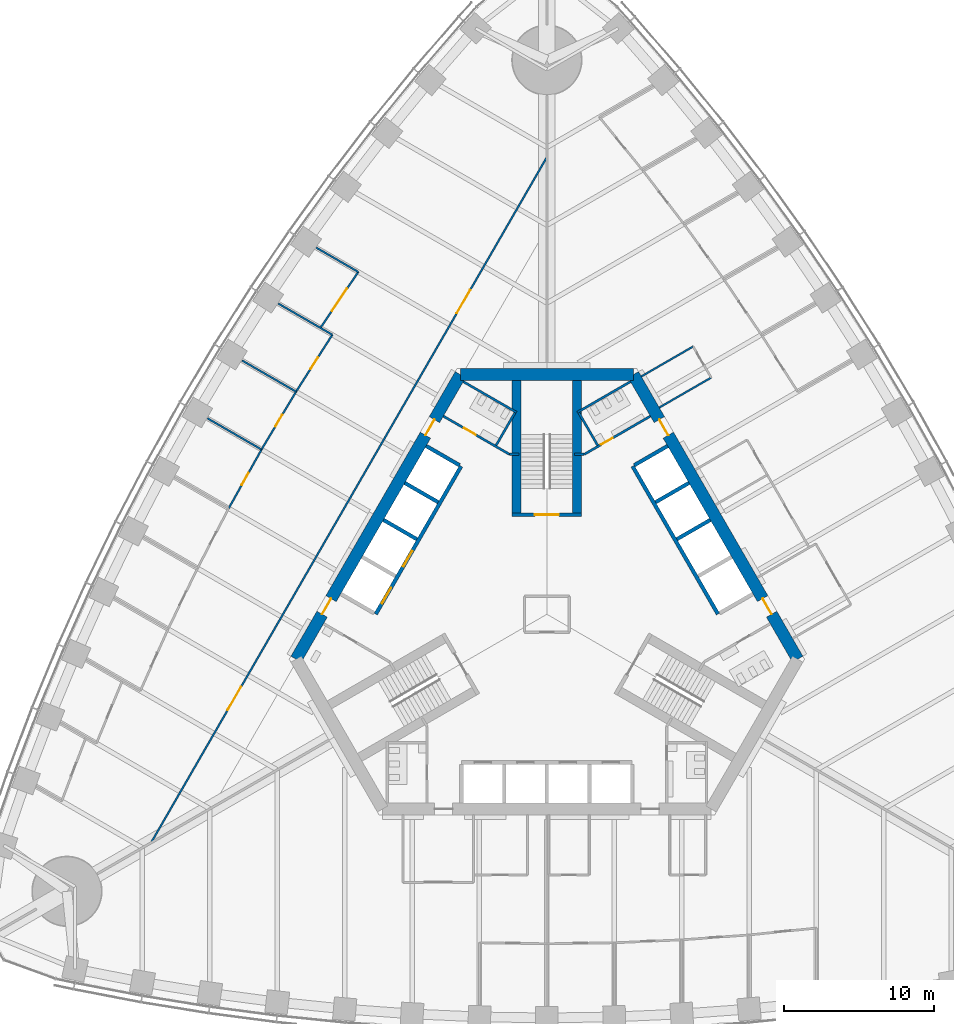
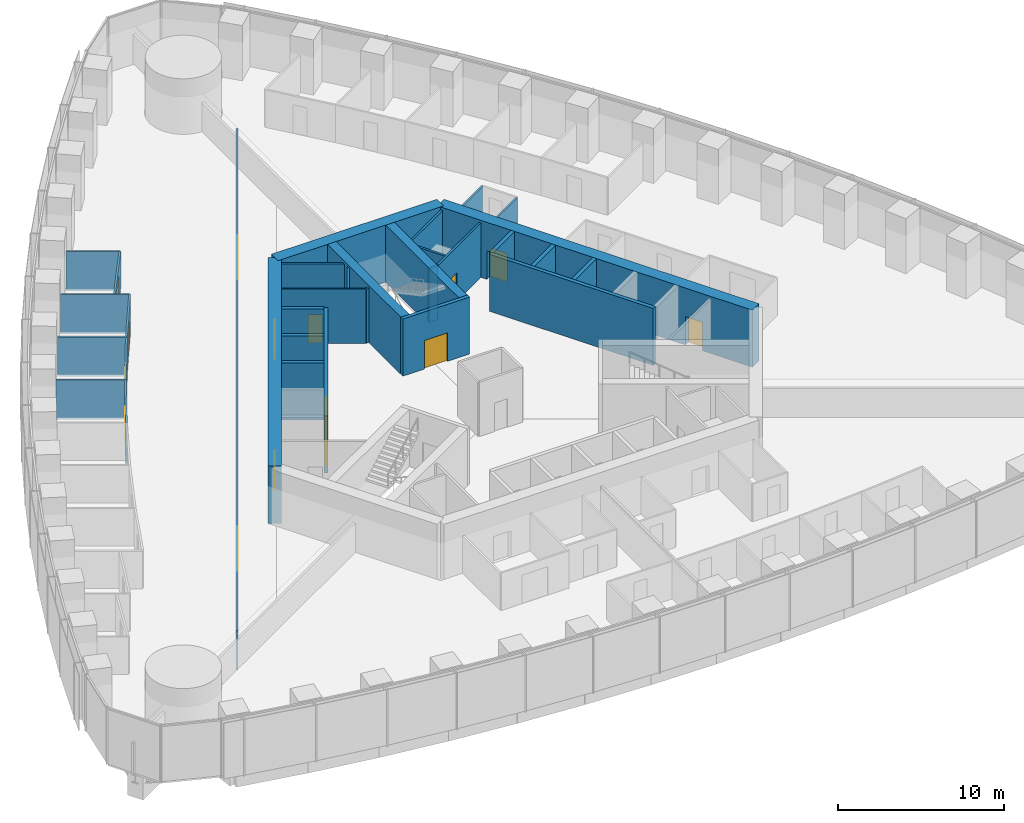
# One storey, part 12 of 18: 33 walls, 15 doors, 15 openings.
"""IFC4 building model written with IfcOpenShell, lengths in metres."""

from ifc_helpers import new_model, si_unit, direction, frame, frame_2d, origin, place, context, subcontext, project, spatial, rectangle, extrude, material, layer, layer_set, type_object, element, fill, save


model = new_model("IFC4")

# Units and contexts
model_context = context("Model", 3, precision=1e-05, world=origin(), true_north=direction((0.0, 1.0)))
body_context = subcontext(model_context, "Body", "Model", "MODEL_VIEW")
ifc_project = project(units=[si_unit("LENGTHUNIT", "METRE"), si_unit("AREAUNIT", "SQUARE_METRE"), si_unit("VOLUMEUNIT", "CUBIC_METRE"), si_unit("PLANEANGLEUNIT", "RADIAN"), si_unit("MASSUNIT", "GRAM", prefix="KILO")], contexts=[model_context])

# Site, building, storey
site_placement = place(None, origin())
site = spatial("IfcSite", under=ifc_project, at=site_placement, CompositionType="ELEMENT")
building_placement = place(site_placement, origin())
building = spatial("IfcBuilding", under=site, at=building_placement, Name="Trefoil Bronze Tower", CompositionType="ELEMENT")
storey_placement = place(building_placement, frame((0.0, 0.0, 24.89990234375)))
storey = spatial("IfcBuildingStorey", under=building, at=storey_placement, Name="L05", CompositionType="ELEMENT", Elevation=24.89990234375)

# Wall, openings, doors
ifc_material_1 = material(Name="Concrete B80", Category="concrete")
ifc_layer_1 = layer(ifc_material_1, 0.800048828125)
ifc_layer_set_1 = layer_set([ifc_layer_1], Name="Core wall 800")
wall_type_1 = type_object("IfcWallType", Name="Core wall 800", PredefinedType="SHEAR", material=ifc_layer_set_1)
wall_1_placement = place(storey_placement, frame((16.7431640625, -3.0, 0.0), z_axis=(0.0, 0.0, 1.0), x_axis=(-0.500002442456, 0.866023993627, 0.0)))
wall_1 = element("IfcWall", 1, at=wall_1_placement, inside=storey, type_object=wall_type_1, Name="Core long wall 2 L05", PredefinedType="SHEAR", context=body_context, shape_type="SweptSolid", body=[
    extrude(rectangle(XDim=21.939453125, YDim=0.800048828125, at=frame_2d((10.9697265625, 0.0))), origin(), (0.0, 0.0, 1.0), 4.2001953125),
])
opening_1_placement = place(wall_1_placement, frame((17.269775390625, 0.0, 0.0)))
opening_1 = element("IfcOpeningElement", 2, at=opening_1_placement, cuts=wall_1, Name="Opening D2", PredefinedType="OPENING", context=body_context, shape_type="SweptSolid", body=[
    extrude(rectangle(XDim=1.199951171875, YDim=2.10009765625, at=frame_2d((0.60009765625, 1.050048828125))), frame((0.0, 0.409912109375, 0.0), z_axis=(0.0, -1.0, 0.0), x_axis=(1.0, 0.0, 0.0)), (0.0, 0.0, 1.0), 0.820068359375),
])
opening_2_placement = place(wall_1_placement, frame((3.4697265625, 0.0, 0.0)))
opening_2 = element("IfcOpeningElement", 3, at=opening_2_placement, cuts=wall_1, Name="Opening D2", PredefinedType="OPENING", context=body_context, shape_type="SweptSolid", body=[
    extrude(rectangle(XDim=1.199951171875, YDim=2.10009765625, at=frame_2d((0.60009765625, 1.050048828125))), frame((0.0, 0.409912109375, 0.0), z_axis=(0.0, -1.0, 0.0), x_axis=(1.0, 0.0, 0.0)), (0.0, 0.0, 1.0), 0.820068359375),
])
ifc_material_2 = material(Name="Steel door", Category="steel")
door_type_1 = type_object("IfcDoorType", Name="Lobby door 1200", OperationType="SINGLE_SWING_RIGHT", PredefinedType="DOOR", material=ifc_material_2)
door_1_placement = place(opening_1_placement, origin())
door_1 = element("IfcDoor", 4, at=door_1_placement, inside=storey, type_object=door_type_1, Name="Lobby door F2+ L05", OperationType="SINGLE_SWING_RIGHT", OverallHeight=2.10009765625, OverallWidth=1.199951171875, PredefinedType="DOOR", context=body_context, shape_type="SweptSolid", body=[
    extrude(rectangle(XDim=1.199951171875, YDim=2.10009765625, at=frame_2d((0.60009765625, 1.050048828125))), frame((0.0, 0.02490234375, 0.0), z_axis=(0.0, -1.0, 0.0), x_axis=(1.0, 0.0, 0.0)), (0.0, 0.0, 1.0), 0.050048828125),
])
fill(opening_1, door_1)
door_2_placement = place(opening_2_placement, origin())
door_2 = element("IfcDoor", 5, at=door_2_placement, inside=storey, type_object=door_type_1, Name="Lobby door F2- L05", OperationType="SINGLE_SWING_LEFT", OverallHeight=2.10009765625, OverallWidth=1.199951171875, PredefinedType="DOOR", context=body_context, shape_type="SweptSolid", body=[
    extrude(rectangle(XDim=1.199951171875, YDim=2.10009765625, at=frame_2d((0.60009765625, 1.050048828125))), frame((0.0, 0.02490234375, 0.0), z_axis=(0.0, -1.0, 0.0), x_axis=(1.0, 0.0, 0.0)), (0.0, 0.0, 1.0), 0.050048828125),
])
fill(opening_2, door_2)

# Wall
wall_2_placement = place(storey_placement, frame((5.7734375, 16.0, 0.0), z_axis=(0.0, 0.0, 1.0), x_axis=(-1.0, 0.0, 0.0)))
element("IfcWall", 6, at=wall_2_placement, inside=storey, type_object=wall_type_1, Name="Core short wall 2 L05", PredefinedType="SHEAR", context=body_context, shape_type="SweptSolid", body=[
    extrude(rectangle(XDim=11.546875, YDim=0.800048828125, at=frame_2d((5.7734375, 0.0))), origin(), (0.0, 0.0, 1.0), 4.2001953125),
])

# Wall, openings, doors
wall_3_placement = place(storey_placement, frame((-5.7734375, 16.0, 0.0), z_axis=(0.0, 0.0, 1.0), x_axis=(-0.500002442456, -0.866023993627, 0.0)))
wall_3 = element("IfcWall", 7, at=wall_3_placement, inside=storey, type_object=wall_type_1, Name="Core long wall 3 L05", PredefinedType="SHEAR", context=body_context, shape_type="SweptSolid", body=[
    extrude(rectangle(XDim=21.939453125, YDim=0.800048828125, at=frame_2d((10.9697265625, 0.0))), origin(), (0.0, 0.0, 1.0), 4.2001953125),
])
opening_3_placement = place(wall_3_placement, frame((17.269775390625, 0.0, 0.0)))
opening_3 = element("IfcOpeningElement", 8, at=opening_3_placement, cuts=wall_3, Name="Opening D2", PredefinedType="OPENING", context=body_context, shape_type="SweptSolid", body=[
    extrude(rectangle(XDim=1.199951171875, YDim=2.10009765625, at=frame_2d((0.60009765625, 1.050048828125))), frame((0.0, 0.409912109375, 0.0), z_axis=(0.0, -1.0, 0.0), x_axis=(1.0, 0.0, 0.0)), (0.0, 0.0, 1.0), 0.820068359375),
])
opening_4_placement = place(wall_3_placement, frame((3.4697265625, 0.0, 0.0)))
opening_4 = element("IfcOpeningElement", 9, at=opening_4_placement, cuts=wall_3, Name="Opening D2", PredefinedType="OPENING", context=body_context, shape_type="SweptSolid", body=[
    extrude(rectangle(XDim=1.199951171875, YDim=2.10009765625, at=frame_2d((0.60009765625, 1.050048828125))), frame((0.0, 0.409912109375, 0.0), z_axis=(0.0, -1.0, 0.0), x_axis=(1.0, 0.0, 0.0)), (0.0, 0.0, 1.0), 0.820068359375),
])
door_3_placement = place(opening_3_placement, origin())
door_3 = element("IfcDoor", 10, at=door_3_placement, inside=storey, type_object=door_type_1, Name="Lobby door F3+ L05", OperationType="SINGLE_SWING_RIGHT", OverallHeight=2.10009765625, OverallWidth=1.199951171875, PredefinedType="DOOR", context=body_context, shape_type="SweptSolid", body=[
    extrude(rectangle(XDim=1.199951171875, YDim=2.10009765625, at=frame_2d((0.60009765625, 1.050048828125))), frame((0.0, 0.02490234375, 0.0), z_axis=(0.0, -1.0, 0.0), x_axis=(1.0, 0.0, 0.0)), (0.0, 0.0, 1.0), 0.050048828125),
])
fill(opening_3, door_3)
door_4_placement = place(opening_4_placement, origin())
door_4 = element("IfcDoor", 11, at=door_4_placement, inside=storey, type_object=door_type_1, Name="Lobby door F3- L05", OperationType="SINGLE_SWING_LEFT", OverallHeight=2.10009765625, OverallWidth=1.199951171875, PredefinedType="DOOR", context=body_context, shape_type="SweptSolid", body=[
    extrude(rectangle(XDim=1.199951171875, YDim=2.10009765625, at=frame_2d((0.60009765625, 1.050048828125))), frame((0.0, 0.02490234375, 0.0), z_axis=(0.0, -1.0, 0.0), x_axis=(1.0, 0.0, 0.0)), (0.0, 0.0, 1.0), 0.050048828125),
])
fill(opening_4, door_4)

# Walls
ifc_material_3 = material(Name="Glazed partition", Category="glass")
ifc_layer_2 = layer(ifc_material_3, 0.1201171875)
ifc_layer_set_2 = layer_set([ifc_layer_2], Name="Glazed partition 120")
wall_type_2 = type_object("IfcWallType", Name="Glazed partition 120", PredefinedType="PARTITIONING", material=ifc_layer_set_2)
for number, where, z_axis, x_axis, name in (
    (12, (6.3046875, 15.8798828125, 0.0), (0.0, 0.0, 1.0), (0.866026010844, 0.49999894854, 0.0), "Partition F2 L05"),
    (13, (7.504638671875, 13.801513671875, 0.0), (0.0, 0.0, 1.0), (0.866026010844, 0.49999894854, 0.0), "Partition F2 L05"),
):
    element("IfcWall", number, at=place(storey_placement, frame(where, z_axis=z_axis, x_axis=x_axis)), inside=storey, type_object=wall_type_2, Name=name, PredefinedType="PARTITIONING", context=body_context, shape_type="SweptSolid", body=[
        extrude(rectangle(XDim=4.0, YDim=0.1201171875, at=frame_2d((2.0, 0.0))), origin(), (0.0, 0.0, 1.0), 2.900146484375),
    ])

# Wall, openings, doors
wall_4_placement = place(storey_placement, frame((-0.016357421875, 30.491455078125, 0.0), z_axis=(0.0, 0.0, 1.0), x_axis=(-0.50000091641, -0.866024874695, 0.0)))
wall_4 = element("IfcWall", 14, at=wall_4_placement, inside=storey, type_object=wall_type_2, Name="Partition F3 L05", PredefinedType="PARTITIONING", context=body_context, shape_type="SweptSolid", body=[
    extrude(rectangle(XDim=52.79638671875, YDim=0.1201171875, at=frame_2d((26.398193359375, 0.0))), origin(), (0.0, 0.0, 1.0), 2.900146484375),
])
opening_5_placement = place(wall_4_placement, frame((10.199951171875, 0.0, 0.14990234375)))
opening_5 = element("IfcOpeningElement", 15, at=opening_5_placement, cuts=wall_4, Name="Opening D10", PredefinedType="OPENING", context=body_context, shape_type="SweptSolid", body=[
    extrude(rectangle(XDim=1.800048828125, YDim=2.10009765625, at=frame_2d((0.89990234375, 1.050048828125))), frame((0.0, 0.070068359375, 0.0), z_axis=(0.0, -1.0, 0.0), x_axis=(1.0, 0.0, 0.0)), (0.0, 0.0, 1.0), 0.14013671875),
])
opening_6_placement = place(wall_4_placement, frame((40.800048828125, 0.0, 0.14990234375)))
opening_6 = element("IfcOpeningElement", 16, at=opening_6_placement, cuts=wall_4, Name="Opening D10", PredefinedType="OPENING", context=body_context, shape_type="SweptSolid", body=[
    extrude(rectangle(XDim=1.800048828125, YDim=2.10009765625, at=frame_2d((0.89990234375, 1.050048828125))), frame((0.0, 0.070068359375, 0.0), z_axis=(0.0, -1.0, 0.0), x_axis=(1.0, 0.0, 0.0)), (0.0, 0.0, 1.0), 0.14013671875),
])
ifc_material_4 = material(Name="Timber door", Category="wood")
door_type_2 = type_object("IfcDoorType", Name="Double door 1800", OperationType="DOUBLE_DOOR_SINGLE_SWING", PredefinedType="DOOR", material=ifc_material_4)
door_5_placement = place(opening_5_placement, origin())
door_5 = element("IfcDoor", 17, at=door_5_placement, inside=storey, type_object=door_type_2, Name="Corridor door F3 L05", OperationType="DOUBLE_DOOR_SINGLE_SWING", OverallHeight=2.10009765625, OverallWidth=1.800048828125, PredefinedType="DOOR", context=body_context, shape_type="SweptSolid", body=[
    extrude(rectangle(XDim=1.800048828125, YDim=2.10009765625, at=frame_2d((0.89990234375, 1.050048828125))), frame((0.0, 0.02490234375, 0.0), z_axis=(0.0, -1.0, 0.0), x_axis=(1.0, 0.0, 0.0)), (0.0, 0.0, 1.0), 0.050048828125),
])
fill(opening_5, door_5)
door_6_placement = place(opening_6_placement, origin())
door_6 = element("IfcDoor", 18, at=door_6_placement, inside=storey, type_object=door_type_2, Name="Corridor door F3 L05", OperationType="DOUBLE_DOOR_SINGLE_SWING", OverallHeight=2.10009765625, OverallWidth=1.800048828125, PredefinedType="DOOR", context=body_context, shape_type="SweptSolid", body=[
    extrude(rectangle(XDim=1.800048828125, YDim=2.10009765625, at=frame_2d((0.89990234375, 1.050048828125))), frame((0.0, 0.02490234375, 0.0), z_axis=(0.0, -1.0, 0.0), x_axis=(1.0, 0.0, 0.0)), (0.0, 0.0, 1.0), 0.050048828125),
])
fill(opening_6, door_6)

# Wall, opening, door
wall_5_placement = place(storey_placement, frame((-19.051513671875, 10.999267578125, 0.0), z_axis=(0.0, 0.0, 1.0), x_axis=(-0.487373854787, -0.873193406795, 0.0)))
wall_5 = element("IfcWall", 19, at=wall_5_placement, inside=storey, type_object=wall_type_2, Name="Partition F3 L05", PredefinedType="PARTITIONING", context=body_context, shape_type="SweptSolid", body=[
    extrude(rectangle(XDim=4.500244140625, YDim=0.1201171875, at=frame_2d((2.25, 0.0))), origin(), (0.0, 0.0, 1.0), 2.900146484375),
])
opening_7_placement = place(wall_5_placement, frame((1.800048828125, 0.0, 0.14990234375)))
opening_7 = element("IfcOpeningElement", 20, at=opening_7_placement, cuts=wall_5, Name="Opening D8", PredefinedType="OPENING", context=body_context, shape_type="SweptSolid", body=[
    extrude(rectangle(XDim=0.89990234375, YDim=2.10009765625, at=frame_2d((0.449951171875, 1.050048828125))), frame((0.0, 0.070068359375, 0.0), z_axis=(0.0, -1.0, 0.0), x_axis=(1.0, 0.0, 0.0)), (0.0, 0.0, 1.0), 0.14013671875),
])
ifc_material_5 = material(Name="Timber door", Category="wood")
door_type_3 = type_object("IfcDoorType", Name="Office door 900", OperationType="SINGLE_SWING_LEFT", PredefinedType="DOOR", material=ifc_material_5)
door_7_placement = place(opening_7_placement, frame((0.89990234375, 0.0, 0.0), z_axis=(0.0, 0.0, 1.0), x_axis=(-1.0, 0.0, 0.0)))
door_7 = element("IfcDoor", 21, at=door_7_placement, inside=storey, type_object=door_type_3, Name="Office door F3 L05", OperationType="SINGLE_SWING_RIGHT", OverallHeight=2.10009765625, OverallWidth=0.89990234375, PredefinedType="DOOR", context=body_context, shape_type="SweptSolid", body=[
    extrude(rectangle(XDim=0.89990234375, YDim=2.10009765625, at=frame_2d((0.449951171875, 1.050048828125))), frame((0.0, 0.02490234375, 0.0), z_axis=(0.0, -1.0, 0.0), x_axis=(1.0, 0.0, 0.0)), (0.0, 0.0, 1.0), 0.050048828125),
])
fill(opening_7, door_7)

wall_6_placement = place(storey_placement, frame((-12.58837890625, 22.8564453125, 0.0), z_axis=(0.0, 0.0, 1.0), x_axis=(-0.561486863223, -0.827485650889, 0.0)))
wall_6 = element("IfcWall", 22, at=wall_6_placement, inside=storey, type_object=wall_type_2, Name="Partition F3 L05", PredefinedType="PARTITIONING", context=body_context, shape_type="SweptSolid", body=[
    extrude(rectangle(XDim=4.511962890625, YDim=0.1201171875, at=frame_2d((2.255859375, 0.0))), origin(), (0.0, 0.0, 1.0), 2.900146484375),
])
opening_8_placement = place(wall_6_placement, frame((1.35009765625, 0.0, 0.14990234375)))
opening_8 = element("IfcOpeningElement", 23, at=opening_8_placement, cuts=wall_6, Name="Opening D10", PredefinedType="OPENING", context=body_context, shape_type="SweptSolid", body=[
    extrude(rectangle(XDim=1.800048828125, YDim=2.10009765625, at=frame_2d((0.89990234375, 1.050048828125))), frame((0.0, 0.070068359375, 0.0), z_axis=(0.0, -1.0, 0.0), x_axis=(1.0, 0.0, 0.0)), (0.0, 0.0, 1.0), 0.14013671875),
])
door_8_placement = place(opening_8_placement, origin())
door_8 = element("IfcDoor", 24, at=door_8_placement, inside=storey, type_object=door_type_2, Name="Reception door F3 L05", OperationType="DOUBLE_DOOR_SINGLE_SWING", OverallHeight=2.10009765625, OverallWidth=1.800048828125, PredefinedType="DOOR", context=body_context, shape_type="SweptSolid", body=[
    extrude(rectangle(XDim=1.800048828125, YDim=2.10009765625, at=frame_2d((0.89990234375, 1.050048828125))), frame((0.0, 0.02490234375, 0.0), z_axis=(0.0, -1.0, 0.0), x_axis=(1.0, 0.0, 0.0)), (0.0, 0.0, 1.0), 0.050048828125),
])
fill(opening_8, door_8)

wall_7_placement = place(storey_placement, frame((-16.744873046875, 14.86376953125, 0.0), z_axis=(0.0, 0.0, 1.0), x_axis=(-0.51252396108, -0.858672923364, 0.0)))
wall_7 = element("IfcWall", 25, at=wall_7_placement, inside=storey, type_object=wall_type_2, Name="Partition F3 L05", PredefinedType="PARTITIONING", context=body_context, shape_type="SweptSolid", body=[
    extrude(rectangle(XDim=4.50048828125, YDim=0.1201171875, at=frame_2d((2.250244140625, 0.0))), origin(), (0.0, 0.0, 1.0), 2.900146484375),
])
opening_9_placement = place(wall_7_placement, frame((1.800048828125, 0.0, 0.14990234375)))
opening_9 = element("IfcOpeningElement", 26, at=opening_9_placement, cuts=wall_7, Name="Opening D8", PredefinedType="OPENING", context=body_context, shape_type="SweptSolid", body=[
    extrude(rectangle(XDim=0.89990234375, YDim=2.10009765625, at=frame_2d((0.449951171875, 1.050048828125))), frame((0.0, 0.070068359375, 0.0), z_axis=(0.0, -1.0, 0.0), x_axis=(1.0, 0.0, 0.0)), (0.0, 0.0, 1.0), 0.14013671875),
])
door_9_placement = place(opening_9_placement, frame((0.89990234375, 0.0, 0.0), z_axis=(0.0, 0.0, 1.0), x_axis=(-1.0, 0.0, 0.0)))
door_9 = element("IfcDoor", 27, at=door_9_placement, inside=storey, type_object=door_type_3, Name="Office door F3 L05", OperationType="SINGLE_SWING_RIGHT", OverallHeight=2.10009765625, OverallWidth=0.89990234375, PredefinedType="DOOR", context=body_context, shape_type="SweptSolid", body=[
    extrude(rectangle(XDim=0.89990234375, YDim=2.10009765625, at=frame_2d((0.449951171875, 1.050048828125))), frame((0.0, 0.02490234375, 0.0), z_axis=(0.0, -1.0, 0.0), x_axis=(1.0, 0.0, 0.0)), (0.0, 0.0, 1.0), 0.050048828125),
])
fill(opening_9, door_9)

wall_8_placement = place(storey_placement, frame((-14.3251953125, 18.662841796875, 0.0), z_axis=(0.0, 0.0, 1.0), x_axis=(-0.537205132487, -0.843451626135, 0.0)))
wall_8 = element("IfcWall", 28, at=wall_8_placement, inside=storey, type_object=wall_type_2, Name="Partition F3 L05", PredefinedType="PARTITIONING", context=body_context, shape_type="SweptSolid", body=[
    extrude(rectangle(XDim=4.504150390625, YDim=0.1201171875, at=frame_2d((2.251953125, 0.0))), origin(), (0.0, 0.0, 1.0), 2.900146484375),
])
opening_10_placement = place(wall_8_placement, frame((1.800048828125, 0.0, 0.14990234375)))
opening_10 = element("IfcOpeningElement", 29, at=opening_10_placement, cuts=wall_8, Name="Opening D8", PredefinedType="OPENING", context=body_context, shape_type="SweptSolid", body=[
    extrude(rectangle(XDim=0.89990234375, YDim=2.10009765625, at=frame_2d((0.449951171875, 1.050048828125))), frame((0.0, 0.070068359375, 0.0), z_axis=(0.0, -1.0, 0.0), x_axis=(1.0, 0.0, 0.0)), (0.0, 0.0, 1.0), 0.14013671875),
])
door_10_placement = place(opening_10_placement, frame((0.89990234375, 0.0, 0.0), z_axis=(0.0, 0.0, 1.0), x_axis=(-1.0, 0.0, 0.0)))
door_10 = element("IfcDoor", 30, at=door_10_placement, inside=storey, type_object=door_type_3, Name="Office door F3 L05", OperationType="SINGLE_SWING_RIGHT", OverallHeight=2.10009765625, OverallWidth=0.89990234375, PredefinedType="DOOR", context=body_context, shape_type="SweptSolid", body=[
    extrude(rectangle(XDim=0.89990234375, YDim=2.10009765625, at=frame_2d((0.449951171875, 1.050048828125))), frame((0.0, 0.02490234375, 0.0), z_axis=(0.0, -1.0, 0.0), x_axis=(1.0, 0.0, 0.0)), (0.0, 0.0, 1.0), 0.050048828125),
])
fill(opening_10, door_10)

# Walls
wall_9_placement = place(storey_placement, frame((-19.051513671875, 10.999267578125, 0.0), z_axis=(0.0, 0.0, 1.0), x_axis=(-0.866004239599, 0.500036655653, 0.0)))
element("IfcWall", 31, at=wall_9_placement, inside=storey, type_object=wall_type_2, Name="Partition F3 L05", PredefinedType="PARTITIONING", context=body_context, shape_type="SweptSolid", body=[
    extrude(rectangle(XDim=4.170166015625, YDim=0.1201171875, at=frame_2d((2.0849609375, 0.0))), origin(), (0.0, 0.0, 1.0), 2.900146484375),
])
wall_10_placement = place(storey_placement, frame((-12.58837890625, 22.8564453125, 0.0), z_axis=(0.0, 0.0, 1.0), x_axis=(-0.866043964491, 0.499967850536, 0.0)))
element("IfcWall", 32, at=wall_10_placement, inside=storey, type_object=wall_type_2, Name="Partition F3 L05", PredefinedType="PARTITIONING", context=body_context, shape_type="SweptSolid", body=[
    extrude(rectangle(XDim=3.243896484375, YDim=0.1201171875, at=frame_2d((1.6220703125, 0.0))), origin(), (0.0, 0.0, 1.0), 2.900146484375),
])
wall_11_placement = place(storey_placement, frame((-16.744873046875, 14.86376953125, 0.0), z_axis=(0.0, 0.0, 1.0), x_axis=(-0.866025669538, 0.499999539701, 0.0)))
element("IfcWall", 33, at=wall_11_placement, inside=storey, type_object=wall_type_2, Name="Partition F3 L05", PredefinedType="PARTITIONING", context=body_context, shape_type="SweptSolid", body=[
    extrude(rectangle(XDim=4.16943359375, YDim=0.1201171875, at=frame_2d((2.084716796875, 0.0))), origin(), (0.0, 0.0, 1.0), 2.900146484375),
])
wall_12_placement = place(storey_placement, frame((-14.3251953125, 18.662841796875, 0.0), z_axis=(0.0, 0.0, 1.0), x_axis=(-0.866009971343, 0.50002672882, 0.0)))
element("IfcWall", 34, at=wall_12_placement, inside=storey, type_object=wall_type_2, Name="Partition F3 L05", PredefinedType="PARTITIONING", context=body_context, shape_type="SweptSolid", body=[
    extrude(rectangle(XDim=4.167236328125, YDim=0.1201171875, at=frame_2d((2.08349609375, 0.0))), origin(), (0.0, 0.0, 1.0), 2.900146484375),
])

# Wall, opening, door
ifc_material_6 = material(Name="Gypsum board on steel studs", Category="steel")
ifc_layer_3 = layer(ifc_material_6, 0.14990234375)
ifc_layer_set_3 = layer_set([ifc_layer_3], Name="Partition 150")
wall_type_3 = type_object("IfcWallType", Name="Partition 150", PredefinedType="PARTITIONING", material=ifc_layer_set_3)
wall_13_placement = place(storey_placement, frame((2.4951171875, 10.67822265625, 0.0), z_axis=(0.0, 0.0, 1.0), x_axis=(0.86602216432, 0.500005610874, 0.0)))
wall_13 = element("IfcWall", 35, at=wall_13_placement, inside=storey, type_object=wall_type_3, Name="Passage wall F2+ L05", PredefinedType="PARTITIONING", context=body_context, shape_type="SweptSolid", body=[
    extrude(rectangle(XDim=5.10009765625, YDim=0.14990234375, at=frame_2d((2.550048828125, 0.0))), origin(), (0.0, 0.0, 1.0), 4.0),
])
opening_11_placement = place(wall_13_placement, frame((1.300048828125, 0.0, 0.0)))
opening_11 = element("IfcOpeningElement", 36, at=opening_11_placement, cuts=wall_13, Name="Opening D3", PredefinedType="OPENING", context=body_context, shape_type="SweptSolid", body=[
    extrude(rectangle(XDim=0.89990234375, YDim=2.10009765625, at=frame_2d((0.449951171875, 1.050048828125))), frame((0.0, 0.0849609375, 0.0), z_axis=(0.0, -1.0, 0.0), x_axis=(1.0, 0.0, 0.0)), (0.0, 0.0, 1.0), 0.169921875),
])
ifc_material_7 = material(Name="Timber door", Category="wood")
door_type_4 = type_object("IfcDoorType", Name="WC door 900", OperationType="SINGLE_SWING_LEFT", PredefinedType="DOOR", material=ifc_material_7)
door_11_placement = place(opening_11_placement, origin())
door_11 = element("IfcDoor", 37, at=door_11_placement, inside=storey, type_object=door_type_4, Name="WC (men) door L05", OperationType="SINGLE_SWING_LEFT", OverallHeight=2.10009765625, OverallWidth=0.89990234375, PredefinedType="DOOR", context=body_context, shape_type="SweptSolid", body=[
    extrude(rectangle(XDim=0.89990234375, YDim=2.10009765625, at=frame_2d((0.449951171875, 1.050048828125))), frame((0.0, 0.02490234375, 0.0), z_axis=(0.0, -1.0, 0.0), x_axis=(1.0, 0.0, 0.0)), (0.0, 0.0, 1.0), 0.050048828125),
])
fill(opening_11, door_11)

wall_14_placement = place(storey_placement, frame((-2.4951171875, 10.67822265625, 0.0), z_axis=(0.0, 0.0, 1.0), x_axis=(-0.86602216432, 0.500005610874, 0.0)))
wall_14 = element("IfcWall", 38, at=wall_14_placement, inside=storey, type_object=wall_type_3, Name="Passage wall F3- L05", PredefinedType="PARTITIONING", context=body_context, shape_type="SweptSolid", body=[
    extrude(rectangle(XDim=5.10009765625, YDim=0.14990234375, at=frame_2d((2.550048828125, 0.0))), origin(), (0.0, 0.0, 1.0), 4.0),
])
opening_12_placement = place(wall_14_placement, frame((2.60009765625, 0.0, 0.0)))
opening_12 = element("IfcOpeningElement", 39, at=opening_12_placement, cuts=wall_14, Name="Opening D3", PredefinedType="OPENING", context=body_context, shape_type="SweptSolid", body=[
    extrude(rectangle(XDim=0.89990234375, YDim=2.10009765625, at=frame_2d((0.449951171875, 1.050048828125))), frame((0.0, 0.0849609375, 0.0), z_axis=(0.0, -1.0, 0.0), x_axis=(1.0, 0.0, 0.0)), (0.0, 0.0, 1.0), 0.169921875),
])
door_12_placement = place(opening_12_placement, frame((0.89990234375, 0.0, 0.0), z_axis=(0.0, 0.0, 1.0), x_axis=(-1.0, 0.0, 0.0)))
door_12 = element("IfcDoor", 40, at=door_12_placement, inside=storey, type_object=door_type_4, Name="WC (women) door L05", OperationType="SINGLE_SWING_RIGHT", OverallHeight=2.10009765625, OverallWidth=0.89990234375, PredefinedType="DOOR", context=body_context, shape_type="SweptSolid", body=[
    extrude(rectangle(XDim=0.89990234375, YDim=2.10009765625, at=frame_2d((0.449951171875, 1.050048828125))), frame((0.0, 0.02490234375, 0.0), z_axis=(0.0, -1.0, 0.0), x_axis=(1.0, 0.0, 0.0)), (0.0, 0.0, 1.0), 0.050048828125),
])
fill(opening_12, door_12)

# Walls
for number, where, z_axis, x_axis, name in (
    (41, (2.4951171875, 10.67822265625, 0.0), (0.0, 0.0, 1.0), (-1.0, 0.0, 0.0), "WC wall ST2-1 L05"),
    (42, (-2.4951171875, 10.67822265625, 0.0), (0.0, 0.0, 1.0), (1.0, 0.0, 0.0), "WC wall ST2+1 L05"),
):
    element("IfcWall", number, at=place(storey_placement, frame(where, z_axis=z_axis, x_axis=x_axis)), inside=storey, type_object=wall_type_3, Name=name, PredefinedType="PARTITIONING", context=body_context, shape_type="SweptSolid", body=[
        extrude(rectangle(XDim=0.64501953125, YDim=0.14990234375, at=frame_2d((0.322509765625, 0.0))), origin(), (0.0, 0.0, 1.0), 4.0),
    ])
wall_15_placement = place(storey_placement, frame((2.03125, 13.48193359375, 0.0), z_axis=(0.0, 0.0, 1.0), x_axis=(0.866050731258, 0.499956128963, 0.0)))
element("IfcWall", 43, at=wall_15_placement, inside=storey, type_object=wall_type_3, Name="WC partition WC (men) L05", PredefinedType="PARTITIONING", context=body_context, shape_type="SweptSolid", body=[
    extrude(rectangle(XDim=4.099853515625, YDim=0.14990234375, at=frame_2d((2.0498046875, 0.0))), origin(), (0.0, 0.0, 1.0), 4.0),
])
wall_16_placement = place(storey_placement, frame((3.388671875, 11.28076171875, 0.0), z_axis=(0.0, 0.0, 1.0), x_axis=(-0.499989096993, 0.866031698547, 0.0)))
element("IfcWall", 44, at=wall_16_placement, inside=storey, type_object=wall_type_3, Name="WC partition WC (men) L05", PredefinedType="PARTITIONING", context=body_context, shape_type="SweptSolid", body=[
    extrude(rectangle(XDim=2.509765625, YDim=0.14990234375, at=frame_2d((1.2548828125, 0.0))), origin(), (0.0, 0.0, 1.0), 4.0),
])
wall_17_placement = place(storey_placement, frame((-2.03125, 13.48193359375, 0.0), z_axis=(0.0, 0.0, 1.0), x_axis=(-0.866050731258, 0.499956128963, 0.0)))
element("IfcWall", 45, at=wall_17_placement, inside=storey, type_object=wall_type_3, Name="WC partition WC (women) L05", PredefinedType="PARTITIONING", context=body_context, shape_type="SweptSolid", body=[
    extrude(rectangle(XDim=4.099853515625, YDim=0.14990234375, at=frame_2d((2.0498046875, 0.0))), origin(), (0.0, 0.0, 1.0), 4.0),
])
wall_18_placement = place(storey_placement, frame((-3.388671875, 11.28076171875, 0.0), z_axis=(0.0, 0.0, 1.0), x_axis=(0.499989096993, 0.866031698547, 0.0)))
element("IfcWall", 46, at=wall_18_placement, inside=storey, type_object=wall_type_3, Name="WC partition WC (women) L05", PredefinedType="PARTITIONING", context=body_context, shape_type="SweptSolid", body=[
    extrude(rectangle(XDim=2.509765625, YDim=0.14990234375, at=frame_2d((1.2548828125, 0.0))), origin(), (0.0, 0.0, 1.0), 4.0),
])
ifc_material_8 = material(Name="Concrete B80", Category="concrete")
ifc_layer_4 = layer(ifc_material_8, 0.25)
ifc_layer_set_4 = layer_set([ifc_layer_4], Name="Shaft wall 250")
wall_type_4 = type_object("IfcWallType", Name="Shaft wall 250", PredefinedType="SHEAR", material=ifc_layer_set_4)
wall_19_placement = place(storey_placement, frame((11.423583984375, 0.013671875, 0.0), z_axis=(0.0, 0.0, 1.0), x_axis=(-0.500001763848, 0.866024385424, 0.0)))
element("IfcWall", 47, at=wall_19_placement, inside=storey, type_object=wall_type_4, Name="Lift shaft front wall B L05", PredefinedType="SHEAR", context=body_context, shape_type="SweptSolid", body=[
    extrude(rectangle(XDim=11.39990234375, YDim=0.25, at=frame_2d((5.699951171875, 0.0))), origin(), (0.0, 0.0, 1.0), 4.2001953125),
])
for number, where, z_axis, x_axis, name in (
    (48, (8.681884765625, 5.012451171875, 0.0), (0.0, 0.0, 1.0), (0.866005588531, 0.500034319456, 0.0), "Lift shaft side wall B2 L05"),
    (49, (7.2568359375, 7.480712890625, 0.0), (0.0, 0.0, 1.0), (0.866046643894, 0.499963209246, 0.0), "Lift shaft side wall B3 L05"),
):
    element("IfcWall", number, at=place(storey_placement, frame(where, z_axis=z_axis, x_axis=x_axis)), inside=storey, type_object=wall_type_4, Name=name, PredefinedType="SHEAR", context=body_context, shape_type="SweptSolid", body=[
        extrude(rectangle(XDim=2.574951171875, YDim=0.25, at=frame_2d((1.28759765625, 0.0))), origin(), (0.0, 0.0, 1.0), 4.2001953125),
    ])
wall_20_placement = place(storey_placement, frame((5.831787109375, 9.94873046875, 0.0), z_axis=(0.0, 0.0, 1.0), x_axis=(0.866029291668, 0.499993265928, 0.0)))
element("IfcWall", 50, at=wall_20_placement, inside=storey, type_object=wall_type_4, Name="Lift shaft side wall B4 L05", PredefinedType="SHEAR", context=body_context, shape_type="SweptSolid", body=[
    extrude(rectangle(XDim=2.5751953125, YDim=0.25, at=frame_2d((1.28759765625, 0.0))), origin(), (0.0, 0.0, 1.0), 4.2001953125),
])

# Wall, openings, doors
wall_21_placement = place(storey_placement, frame((-5.7236328125, 9.88623046875, 0.0), z_axis=(0.0, 0.0, 1.0), x_axis=(-0.500001763848, -0.866024385424, 0.0)))
wall_21 = element("IfcWall", 51, at=wall_21_placement, inside=storey, type_object=wall_type_4, Name="Lift shaft front wall C L05", PredefinedType="SHEAR", context=body_context, shape_type="SweptSolid", body=[
    extrude(rectangle(XDim=11.39990234375, YDim=0.25, at=frame_2d((5.699951171875, 0.0))), origin(), (0.0, 0.0, 1.0), 4.2001953125),
])
opening_13_placement = place(wall_21_placement, frame((6.52490234375, 0.0, 0.0)))
opening_13 = element("IfcOpeningElement", 52, at=opening_13_placement, cuts=wall_21, Name="Opening LD-FL1", PredefinedType="OPENING", context=body_context, shape_type="SweptSolid", body=[
    extrude(rectangle(XDim=1.199951171875, YDim=2.199951171875, at=frame_2d((0.60009765625, 1.10009765625))), frame((0.0, 0.135009765625, 0.0), z_axis=(0.0, -1.0, 0.0), x_axis=(1.0, 0.0, 0.0)), (0.0, 0.0, 1.0), 0.27001953125),
])
opening_14_placement = place(wall_21_placement, frame((9.375, 0.0, 0.0)))
opening_14 = element("IfcOpeningElement", 53, at=opening_14_placement, cuts=wall_21, Name="Opening LD-FL2", PredefinedType="OPENING", context=body_context, shape_type="SweptSolid", body=[
    extrude(rectangle(XDim=1.199951171875, YDim=2.199951171875, at=frame_2d((0.60009765625, 1.10009765625))), frame((0.0, 0.135009765625, 0.0), z_axis=(0.0, -1.0, 0.0), x_axis=(1.0, 0.0, 0.0)), (0.0, 0.0, 1.0), 0.27001953125),
])
ifc_material_9 = material(Name="Steel door", Category="steel")
door_type_5 = type_object("IfcDoorType", Name="Lift landing door 1200", OperationType="DOUBLE_DOOR_SLIDING", PredefinedType="DOOR", material=ifc_material_9)
door_13_placement = place(opening_13_placement, origin())
door_13 = element("IfcDoor", 54, at=door_13_placement, inside=storey, type_object=door_type_5, Name="Lift FL1 landing door L05", OperationType="DOUBLE_DOOR_SLIDING", OverallHeight=2.199951171875, OverallWidth=1.199951171875, PredefinedType="DOOR", context=body_context, shape_type="SweptSolid", body=[
    extrude(rectangle(XDim=1.199951171875, YDim=2.199951171875, at=frame_2d((0.60009765625, 1.10009765625))), frame((0.0, 0.02490234375, 0.0), z_axis=(0.0, -1.0, 0.0), x_axis=(1.0, 0.0, 0.0)), (0.0, 0.0, 1.0), 0.050048828125),
])
fill(opening_13, door_13)
door_14_placement = place(opening_14_placement, origin())
door_14 = element("IfcDoor", 55, at=door_14_placement, inside=storey, type_object=door_type_5, Name="Lift FL2 landing door L05", OperationType="DOUBLE_DOOR_SLIDING", OverallHeight=2.199951171875, OverallWidth=1.199951171875, PredefinedType="DOOR", context=body_context, shape_type="SweptSolid", body=[
    extrude(rectangle(XDim=1.199951171875, YDim=2.199951171875, at=frame_2d((0.60009765625, 1.10009765625))), frame((0.0, 0.02490234375, 0.0), z_axis=(0.0, -1.0, 0.0), x_axis=(1.0, 0.0, 0.0)), (0.0, 0.0, 1.0), 0.050048828125),
])
fill(opening_14, door_14)

# Walls
wall_22_placement = place(storey_placement, frame((-5.831787109375, 9.94873046875, 0.0), z_axis=(0.0, 0.0, 1.0), x_axis=(-0.866029291668, 0.499993265928, 0.0)))
element("IfcWall", 56, at=wall_22_placement, inside=storey, type_object=wall_type_4, Name="Lift shaft side wall C0 L05", PredefinedType="SHEAR", context=body_context, shape_type="SweptSolid", body=[
    extrude(rectangle(XDim=2.5751953125, YDim=0.25, at=frame_2d((1.28759765625, 0.0))), origin(), (0.0, 0.0, 1.0), 4.2001953125),
])
for number, where, z_axis, x_axis, name in (
    (57, (-7.2568359375, 7.480712890625, 0.0), (0.0, 0.0, 1.0), (-0.866046643894, 0.499963209246, 0.0), "Lift shaft side wall C1 L05"),
    (58, (-8.681884765625, 5.012451171875, 0.0), (0.0, 0.0, 1.0), (-0.866005588531, 0.500034319456, 0.0), "Lift shaft side wall C2 L05"),
):
    element("IfcWall", number, at=place(storey_placement, frame(where, z_axis=z_axis, x_axis=x_axis)), inside=storey, type_object=wall_type_4, Name=name, PredefinedType="SHEAR", context=body_context, shape_type="SweptSolid", body=[
        extrude(rectangle(XDim=2.574951171875, YDim=0.25, at=frame_2d((1.28759765625, 0.0))), origin(), (0.0, 0.0, 1.0), 4.2001953125),
    ])

# Wall, opening, door
wall_23_placement = place(storey_placement, frame((2.324951171875, 6.64990234375, 0.0), z_axis=(0.0, 0.0, 1.0), x_axis=(-1.0, 0.0, 0.0)))
wall_23 = element("IfcWall", 59, at=wall_23_placement, inside=storey, type_object=wall_type_4, Name="Stair end wall ST2 L05", PredefinedType="SHEAR", context=body_context, shape_type="SweptSolid", body=[
    extrude(rectangle(XDim=4.64990234375, YDim=0.25, at=frame_2d((2.324951171875, 0.0))), origin(), (0.0, 0.0, 1.0), 4.2001953125),
])
opening_15_placement = place(wall_23_placement, frame((1.52490234375, 0.0, 0.0)))
opening_15 = element("IfcOpeningElement", 60, at=opening_15_placement, cuts=wall_23, Name="Opening D1", PredefinedType="OPENING", context=body_context, shape_type="SweptSolid", body=[
    extrude(rectangle(XDim=1.60009765625, YDim=2.10009765625, at=frame_2d((0.800048828125, 1.050048828125))), frame((0.0, 0.135009765625, 0.0), z_axis=(0.0, -1.0, 0.0), x_axis=(1.0, 0.0, 0.0)), (0.0, 0.0, 1.0), 0.27001953125),
])
ifc_material_10 = material(Name="Steel door", Category="steel")
door_type_6 = type_object("IfcDoorType", Name="Stair door 1600", OperationType="DOUBLE_DOOR_SINGLE_SWING", PredefinedType="DOOR", material=ifc_material_10)
door_15_placement = place(opening_15_placement, frame((1.60009765625, 0.0, 0.0), z_axis=(0.0, 0.0, 1.0), x_axis=(-1.0, 0.0, 0.0)))
door_15 = element("IfcDoor", 61, at=door_15_placement, inside=storey, type_object=door_type_6, Name="Stair door ST2 L05", OperationType="DOUBLE_DOOR_SINGLE_SWING", OverallHeight=2.10009765625, OverallWidth=1.60009765625, PredefinedType="DOOR", context=body_context, shape_type="SweptSolid", body=[
    extrude(rectangle(XDim=1.60009765625, YDim=2.10009765625, at=frame_2d((0.800048828125, 1.050048828125))), frame((0.0, 0.02490234375, 0.0), z_axis=(0.0, -1.0, 0.0), x_axis=(1.0, 0.0, 0.0)), (0.0, 0.0, 1.0), 0.050048828125),
])
fill(opening_15, door_15)

# Walls
ifc_material_11 = material(Name="Concrete B80", Category="concrete")
ifc_layer_5 = layer(ifc_material_11, 0.60009765625)
ifc_layer_set_5 = layer_set([ifc_layer_5], Name="Stair wall 600")
wall_type_5 = type_object("IfcWallType", Name="Stair wall 600", PredefinedType="SHEAR", material=ifc_layer_set_5)
for number, where, z_axis, x_axis, name in (
    (62, (2.02490234375, 6.52490234375, 0.0), (0.0, 0.0, 1.0), (0.0, 1.0, 0.0), "Stair wall ST2 L05"),
    (63, (-2.02490234375, 6.52490234375, 0.0), (0.0, 0.0, 1.0), (0.0, 1.0, 0.0), "Stair wall ST2 L05"),
):
    element("IfcWall", number, at=place(storey_placement, frame(where, z_axis=z_axis, x_axis=x_axis)), inside=storey, type_object=wall_type_5, Name=name, PredefinedType="SHEAR", context=body_context, shape_type="SweptSolid", body=[
        extrude(rectangle(XDim=9.0751953125, YDim=0.60009765625, at=frame_2d((4.53759765625, 0.0))), origin(), (0.0, 0.0, 1.0), 4.2001953125),
    ])

save(model, "model.ifc")
